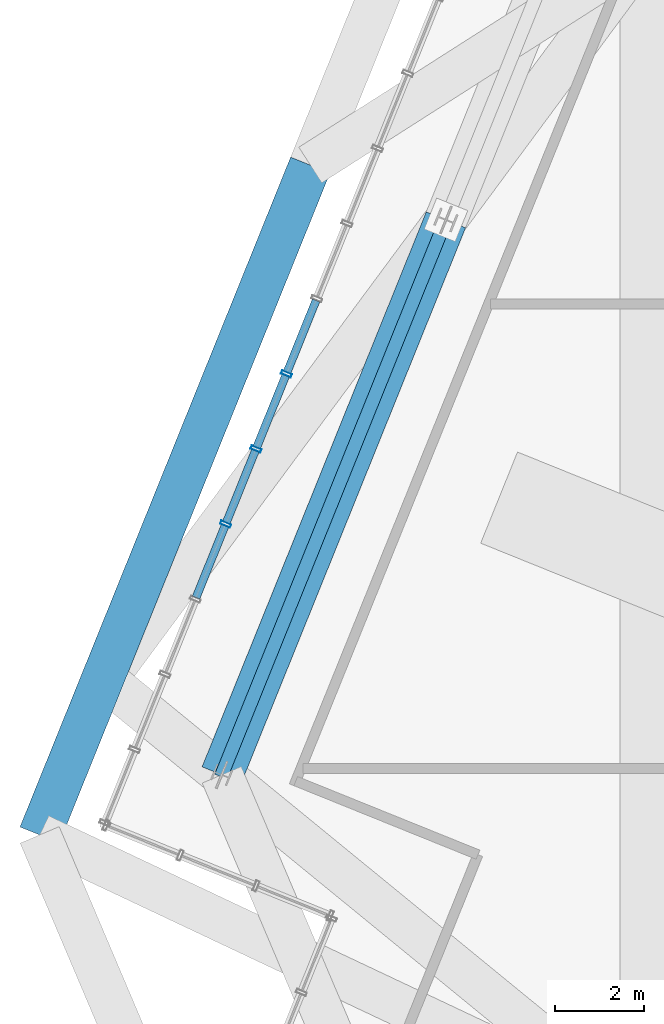
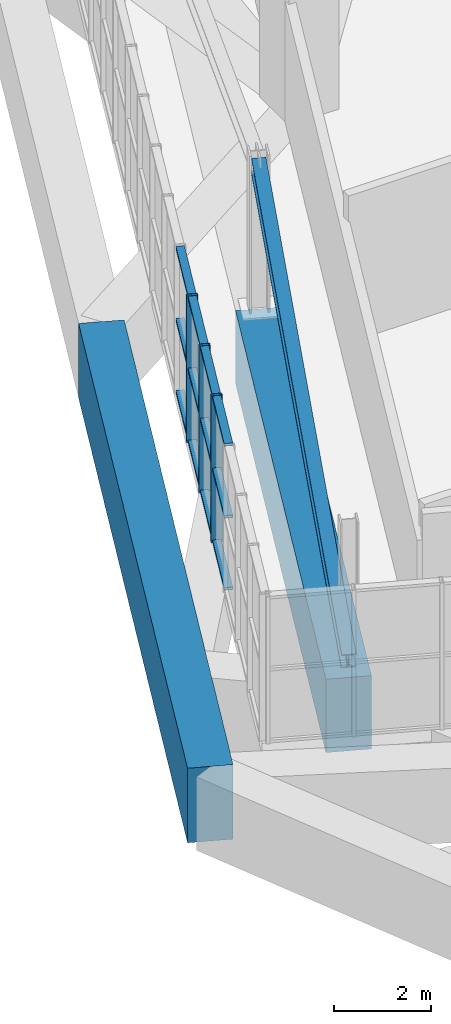
# One storey, part 10 of 35: 16 members, 2 beams, 1 element without a shape of its own.
"""IFC4 building model written with IfcOpenShell, lengths in metres."""

from ifc_helpers import new_model, si_unit, direction, frame, origin, origin_2d, place, context, subcontext, project, spatial, rectangle, hollow_rectangle, i_section, extrude, source, transform, mapped, material, layer, layer_set, material_profile, profile_set, type_object, element, aggregate, save


model = new_model("IFC4")

# Units and contexts
model_context = context("Model", 3, precision=1e-05, world=origin(), true_north=direction((0.0, 1.0)))
body_context = subcontext(model_context, "Body", "Model", "MODEL_VIEW")
ifc_project = project(units=[si_unit("LENGTHUNIT", "METRE"), si_unit("AREAUNIT", "SQUARE_METRE"), si_unit("VOLUMEUNIT", "CUBIC_METRE"), si_unit("PLANEANGLEUNIT", "RADIAN"), si_unit("MASSUNIT", "GRAM", prefix="KILO"), si_unit("THERMODYNAMICTEMPERATUREUNIT", "KELVIN")], contexts=[model_context])

# Site, building, storey
site_placement = place(None, origin())
site = spatial("IfcSite", under=ifc_project, at=site_placement, CompositionType="ELEMENT")
building_placement = place(site_placement, origin())
building = spatial("IfcBuilding", under=site, at=building_placement, Name="Kosmvard Interchange Tower", CompositionType="ELEMENT")
storey_placement = place(building_placement, frame((0.0, 0.0, 321.60009765625)))
storey = spatial("IfcBuildingStorey", under=building, at=storey_placement, Name="L79", CompositionType="ELEMENT", Elevation=321.60009765625)

# Beams
ifc_material_1 = material(Name="Concrete C60/75", Category="concrete")
ifc_material_profile_1 = material_profile(ifc_material_1, rectangle(XDim=0.949951171875, YDim=1.8798828125, at=origin_2d()), Name="TG 950x1880")
ifc_profile_set_1 = profile_set([ifc_material_profile_1], Name="Concrete C60/75")
beam_type_1 = type_object("IfcBeamType", Name="Upper Long-Span Transfer Girder 950x1880 C60/75", PredefinedType="USERDEFINED", material=ifc_profile_set_1)
shared_shape_1 = source(origin(), body_context, "Body", "SweptSolid", [
    extrude(rectangle(XDim=0.949951171875, YDim=1.8798828125, at=origin_2d()), origin(), (0.0, 0.0, 1.0), 16.1748046875),
])
beam_1_placement = place(storey_placement, frame((-20.560302734375, 8.306884765625, -0.940185546875), z_axis=(-0.374612782798, -0.92718135387, 0.0), x_axis=(0.92718135387, -0.374612782798, 0.0)))
element("IfcBeam", 1, at=beam_1_placement, inside=storey, type_object=beam_type_1, Name="BM-L79-LR08", ObjectType="TRANSFER_GIRDER", PredefinedType="USERDEFINED", context=body_context, shape_type="MappedRepresentation", body=[
    mapped(shared_shape_1, transform((0.0, 0.0, 0.0), scale=1.0)),
])
ifc_material_profile_2 = material_profile(ifc_material_1, rectangle(XDim=0.949951171875, YDim=1.85009765625, at=origin_2d()), Name="TG 950x1850")
ifc_profile_set_2 = profile_set([ifc_material_profile_2], Name="Concrete C60/75")
beam_type_2 = type_object("IfcBeamType", Name="Upper Transfer Ring Girder 950x1850 C60/75", PredefinedType="USERDEFINED", material=ifc_profile_set_2)
shared_shape_2 = source(origin(), body_context, "Body", "SweptSolid", [
    extrude(rectangle(XDim=0.949951171875, YDim=1.85009765625, at=origin_2d()), origin(), (0.0, 0.0, 1.0), 13.400146484375),
])
beam_2_placement = place(storey_placement, frame((-17.523681640625, 7.080078125, -0.925048828125), z_axis=(-0.374608243744, -0.927183187789, 0.0), x_axis=(0.927183187789, -0.374608243744, 0.0)))
element("IfcBeam", 2, at=beam_2_placement, inside=storey, type_object=beam_type_2, Name="BM-L79-PR08", ObjectType="TRANSFER_GIRDER", PredefinedType="USERDEFINED", context=body_context, shape_type="MappedRepresentation", body=[
    mapped(shared_shape_2, transform((0.0, 0.0, 0.0), scale=1.0)),
])

# Member
ifc_material_2 = material(Name="Steel S355", Category="steel")
ifc_material_profile_3 = material_profile(ifc_material_2, i_section(OverallWidth=0.300048828125, OverallDepth=0.39990234375, WebThickness=0.013427734375, FlangeThickness=0.02392578125, FilletRadius=0.027099609375, at=origin_2d()), Name="HEB 400")
ifc_profile_set_3 = profile_set([ifc_material_profile_3], Name="Steel S355")
member_type_1 = type_object("IfcMemberType", Name="Lantern Crown Diagrid Brace HEB 400 S355", PredefinedType="BRACE", material=ifc_profile_set_3)
shared_shape_3 = source(origin(), body_context, "Body", "SweptSolid", [
    extrude(i_section(OverallWidth=0.300048828125, OverallDepth=0.39990234375, WebThickness=0.013427734375, FlangeThickness=0.02392578125, FilletRadius=0.027099609375, at=origin_2d()), origin(), (0.0, 0.0, 1.0), 13.783935546875),
])
member_1_placement = place(storey_placement, frame((-22.54345703125, -5.34423828125, 0.419921875), z_axis=(0.364177999122, 0.901367558742, 0.234330768366), x_axis=(-0.927183187789, 0.374608243744, 0.0)))
element("IfcMember", 3, at=member_1_placement, inside=storey, type_object=member_type_1, Name="L79 Crown Lantern Diagrid Brace N2", PredefinedType="BRACE", context=body_context, shape_type="MappedRepresentation", body=[
    mapped(shared_shape_3, transform((0.0, 0.0, 0.0), scale=1.0)),
])

# Curtain wall, members
ifc_material_3 = material(Name="Architectural anodised aluminium", Category="aluminium")
ifc_layer = layer(ifc_material_3, 0.25, Name="Architectural anodised aluminium")
ifc_layer_set = layer_set([ifc_layer], Name="Architectural anodised aluminium")
curtain_wall_type = type_object("IfcCurtainWallType", Name="CW-6 Illuminated Crown Lantern Curtain Wall", PredefinedType="NOTDEFINED", material=ifc_layer_set)
curtain_wall_placement = place(storey_placement, origin())
curtain_wall = element("IfcCurtainWall", 4, at=curtain_wall_placement, inside=storey, type_object=curtain_wall_type, Name="L79 Crown Lantern Glazing Face 07", PredefinedType="NOTDEFINED")
ifc_material_profile_4 = material_profile(ifc_material_3, hollow_rectangle(XDim=0.239990234375, YDim=0.080078125, WallThickness=0.006103515625, at=origin_2d()), Name="CWM 240x80x6")
ifc_profile_set_4 = profile_set([ifc_material_profile_4], Name="Architectural anodised aluminium")
member_type_2 = type_object("IfcMemberType", Name="Lantern & Observation CW Mullion 240x80 Aluminium", PredefinedType="MULLION", material=ifc_profile_set_4)
shared_shape_4 = source(origin(), body_context, "Body", "SweptSolid", [
    extrude(hollow_rectangle(XDim=0.239990234375, YDim=0.080078125, WallThickness=0.006103515625, at=origin_2d()), origin(), (0.0, 0.0, 1.0), 3.699951171875),
])
member_2_placement = place(storey_placement, frame((-21.095703125, 3.6318359375, 0.0), z_axis=(0.0, 0.0, 1.0), x_axis=(0.927183858065, -0.374606584758, 0.0)))
member_2 = element("IfcMember", 5, at=member_2_placement, type_object=member_type_2, Name="CW-6 mullion 12", PredefinedType="MULLION", context=body_context, shape_type="MappedRepresentation", body=[
    mapped(shared_shape_4, transform((0.0, 0.0, 0.0), scale=1.0)),
])
member_3_placement = place(storey_placement, frame((-21.775146484375, 1.94970703125, 0.0), z_axis=(0.0, 0.0, 1.0), x_axis=(0.927183858065, -0.374606584758, 0.0)))
member_3 = element("IfcMember", 6, at=member_3_placement, type_object=member_type_2, Name="CW-6 mullion 13", PredefinedType="MULLION", context=body_context, shape_type="MappedRepresentation", body=[
    mapped(shared_shape_4, transform((0.0, 0.0, 0.0), scale=1.0)),
])
member_4_placement = place(storey_placement, frame((-22.454833984375, 0.267578125, 0.0), z_axis=(0.0, 0.0, 1.0), x_axis=(0.927183858065, -0.374606584758, 0.0)))
member_4 = element("IfcMember", 7, at=member_4_placement, type_object=member_type_2, Name="CW-6 mullion 14", PredefinedType="MULLION", context=body_context, shape_type="MappedRepresentation", body=[
    mapped(shared_shape_4, transform((0.0, 0.0, 0.0), scale=1.0)),
])
ifc_material_profile_5 = material_profile(ifc_material_3, hollow_rectangle(XDim=0.179931640625, YDim=0.070068359375, WallThickness=0.0048828125, at=origin_2d()), Name="CWT 180x70x5")
ifc_profile_set_5 = profile_set([ifc_material_profile_5], Name="Architectural anodised aluminium")
member_type_3 = type_object("IfcMemberType", Name="Heavy Lantern CW Transom 180x70 Aluminium", PredefinedType="USERDEFINED", material=ifc_profile_set_5)
shared_shape_5 = source(origin(), body_context, "Body", "SweptSolid", [
    extrude(hollow_rectangle(XDim=0.179931640625, YDim=0.070068359375, WallThickness=0.0048828125, at=origin_2d()), origin(), (0.0, 0.0, 1.0), 1.734130859375),
])
member_5_placement = place(storey_placement, frame((-20.43115234375, 5.276611328125, 0.034912109375), z_axis=(-0.374495638732, -0.927228675447, 0.0), x_axis=(0.927228675447, -0.374495638732, 0.0)))
member_5 = element("IfcMember", 8, at=member_5_placement, type_object=member_type_3, Name="CW-6 transom 11.1", ObjectType="TRANSOM", PredefinedType="USERDEFINED", context=body_context, shape_type="MappedRepresentation", body=[
    mapped(shared_shape_5, transform((0.0, 0.0, 0.0), scale=1.0)),
])
member_6_placement = place(storey_placement, frame((-20.43115234375, 5.276611328125, 1.849853515625), z_axis=(-0.374495638732, -0.927228675447, 0.0), x_axis=(0.927228675447, -0.374495638732, 0.0)))
member_6 = element("IfcMember", 9, at=member_6_placement, type_object=member_type_3, Name="CW-6 transom 11.2", ObjectType="TRANSOM", PredefinedType="USERDEFINED", context=body_context, shape_type="MappedRepresentation", body=[
    mapped(shared_shape_5, transform((0.0, 0.0, 0.0), scale=1.0)),
])
member_7_placement = place(storey_placement, frame((-20.43115234375, 5.276611328125, 3.664794921875), z_axis=(-0.374495638732, -0.927228675447, 0.0), x_axis=(0.927228675447, -0.374495638732, 0.0)))
member_7 = element("IfcMember", 10, at=member_7_placement, type_object=member_type_3, Name="CW-6 transom 11.3", ObjectType="TRANSOM", PredefinedType="USERDEFINED", context=body_context, shape_type="MappedRepresentation", body=[
    mapped(shared_shape_5, transform((0.0, 0.0, 0.0), scale=1.0)),
])
member_8_placement = place(storey_placement, frame((-21.110595703125, 3.5947265625, 0.034912109375), z_axis=(-0.374616671924, -0.927179782522, 0.0), x_axis=(0.927179782522, -0.374616671924, 0.0)))
member_8 = element("IfcMember", 11, at=member_8_placement, type_object=member_type_3, Name="CW-6 transom 12.1", ObjectType="TRANSOM", PredefinedType="USERDEFINED", context=body_context, shape_type="MappedRepresentation", body=[
    mapped(shared_shape_5, transform((0.0, 0.0, 0.0), scale=1.0)),
])
member_9_placement = place(storey_placement, frame((-21.110595703125, 3.5947265625, 1.849853515625), z_axis=(-0.374616671924, -0.927179782522, 0.0), x_axis=(0.927179782522, -0.374616671924, 0.0)))
member_9 = element("IfcMember", 12, at=member_9_placement, type_object=member_type_3, Name="CW-6 transom 12.2", ObjectType="TRANSOM", PredefinedType="USERDEFINED", context=body_context, shape_type="MappedRepresentation", body=[
    mapped(shared_shape_5, transform((0.0, 0.0, 0.0), scale=1.0)),
])
member_10_placement = place(storey_placement, frame((-21.110595703125, 3.5947265625, 3.664794921875), z_axis=(-0.374616671924, -0.927179782522, 0.0), x_axis=(0.927179782522, -0.374616671924, 0.0)))
member_10 = element("IfcMember", 13, at=member_10_placement, type_object=member_type_3, Name="CW-6 transom 12.3", ObjectType="TRANSOM", PredefinedType="USERDEFINED", context=body_context, shape_type="MappedRepresentation", body=[
    mapped(shared_shape_5, transform((0.0, 0.0, 0.0), scale=1.0)),
])
member_11_placement = place(storey_placement, frame((-21.790283203125, 1.91259765625, 0.034912109375), z_axis=(-0.374495638732, -0.927228675447, 0.0), x_axis=(0.927228675447, -0.374495638732, 0.0)))
member_11 = element("IfcMember", 14, at=member_11_placement, type_object=member_type_3, Name="CW-6 transom 13.1", ObjectType="TRANSOM", PredefinedType="USERDEFINED", context=body_context, shape_type="MappedRepresentation", body=[
    mapped(shared_shape_5, transform((0.0, 0.0, 0.0), scale=1.0)),
])
member_12_placement = place(storey_placement, frame((-21.790283203125, 1.91259765625, 1.849853515625), z_axis=(-0.374495638732, -0.927228675447, 0.0), x_axis=(0.927228675447, -0.374495638732, 0.0)))
member_12 = element("IfcMember", 15, at=member_12_placement, type_object=member_type_3, Name="CW-6 transom 13.2", ObjectType="TRANSOM", PredefinedType="USERDEFINED", context=body_context, shape_type="MappedRepresentation", body=[
    mapped(shared_shape_5, transform((0.0, 0.0, 0.0), scale=1.0)),
])
member_13_placement = place(storey_placement, frame((-21.790283203125, 1.91259765625, 3.664794921875), z_axis=(-0.374495638732, -0.927228675447, 0.0), x_axis=(0.927228675447, -0.374495638732, 0.0)))
member_13 = element("IfcMember", 16, at=member_13_placement, type_object=member_type_3, Name="CW-6 transom 13.3", ObjectType="TRANSOM", PredefinedType="USERDEFINED", context=body_context, shape_type="MappedRepresentation", body=[
    mapped(shared_shape_5, transform((0.0, 0.0, 0.0), scale=1.0)),
])
shared_shape_6 = source(origin(), body_context, "Body", "SweptSolid", [
    extrude(hollow_rectangle(XDim=0.179931640625, YDim=0.070068359375, WallThickness=0.0048828125, at=origin_2d()), origin(), (0.0, 0.0, 1.0), 1.73388671875),
])
member_14_placement = place(storey_placement, frame((-22.4697265625, 0.23046875, 0.034912109375), z_axis=(-0.374665576032, -0.927160021861, 0.0), x_axis=(0.927160021861, -0.374665576032, 0.0)))
member_14 = element("IfcMember", 17, at=member_14_placement, type_object=member_type_3, Name="CW-6 transom 14.1", ObjectType="TRANSOM", PredefinedType="USERDEFINED", context=body_context, shape_type="MappedRepresentation", body=[
    mapped(shared_shape_6, transform((0.0, 0.0, 0.0), scale=1.0)),
])
member_15_placement = place(storey_placement, frame((-22.4697265625, 0.23046875, 1.849853515625), z_axis=(-0.374665576032, -0.927160021861, 0.0), x_axis=(0.927160021861, -0.374665576032, 0.0)))
member_15 = element("IfcMember", 18, at=member_15_placement, type_object=member_type_3, Name="CW-6 transom 14.2", ObjectType="TRANSOM", PredefinedType="USERDEFINED", context=body_context, shape_type="MappedRepresentation", body=[
    mapped(shared_shape_6, transform((0.0, 0.0, 0.0), scale=1.0)),
])
member_16_placement = place(storey_placement, frame((-22.4697265625, 0.23046875, 3.664794921875), z_axis=(-0.374665576032, -0.927160021861, 0.0), x_axis=(0.927160021861, -0.374665576032, 0.0)))
member_16 = element("IfcMember", 19, at=member_16_placement, type_object=member_type_3, Name="CW-6 transom 14.3", ObjectType="TRANSOM", PredefinedType="USERDEFINED", context=body_context, shape_type="MappedRepresentation", body=[
    mapped(shared_shape_6, transform((0.0, 0.0, 0.0), scale=1.0)),
])
aggregate(curtain_wall, [member_2, member_3, member_4, member_5, member_6, member_7, member_8, member_9, member_10, member_11, member_12, member_13, member_14, member_15, member_16])

save(model, "model.ifc")
